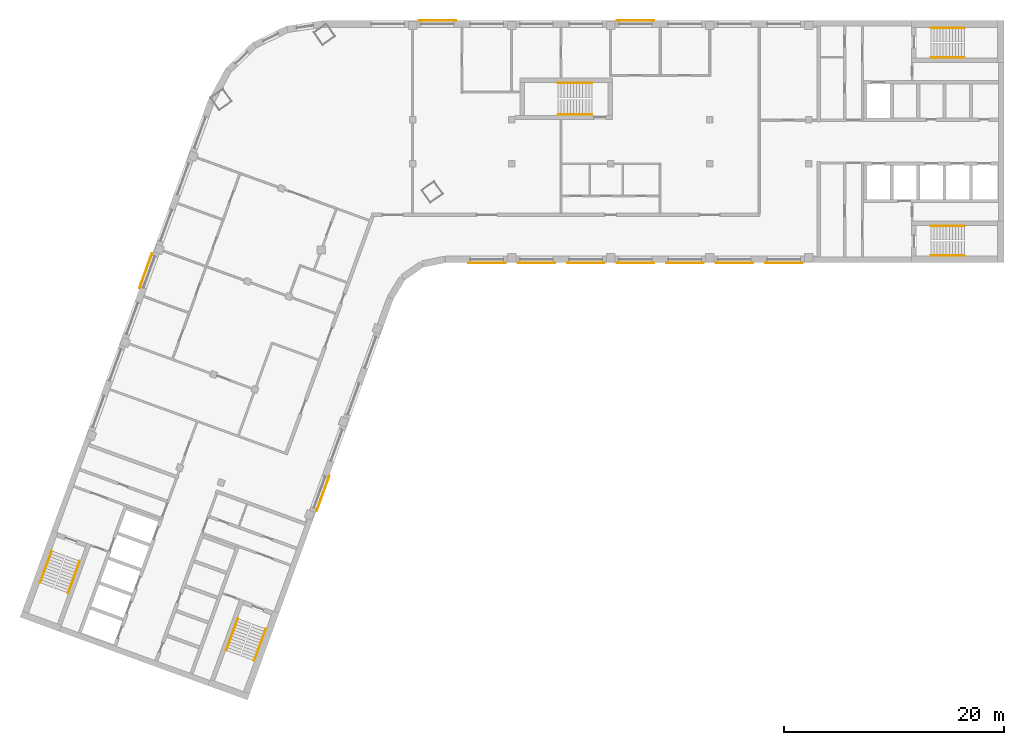
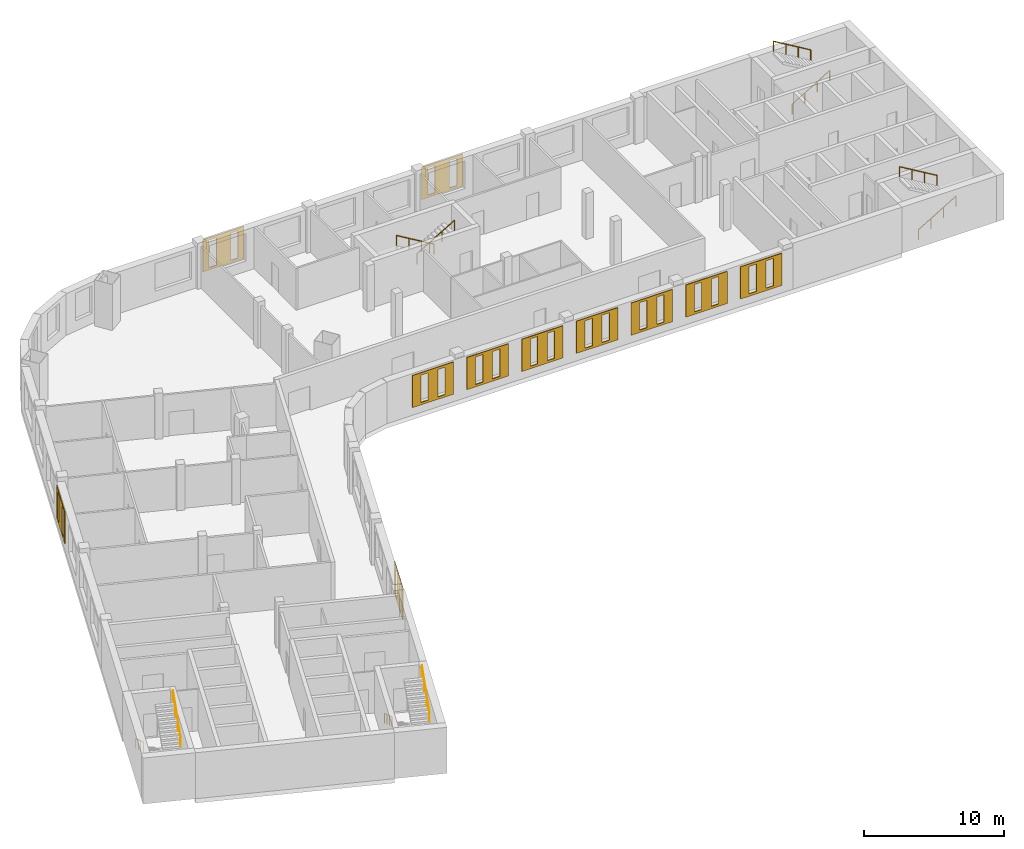
# One storey, part 8 of 8: 11 coverings, 10 railings.
"""IFC4 building model written with IfcOpenShell, lengths in metres."""

from ifc_helpers import new_model, si_unit, direction, frame, origin, origin_2d, place, context, subcontext, project, spatial, polyline, circle, outline, extrude, material, material_profile, profile_set, type_object, element, save


model = new_model("IFC4")

# Units and contexts
model_context = context("Model", 3, precision=1e-05, world=origin(), true_north=direction((0.0, 1.0)))
body_context = subcontext(model_context, "Body", "Model", "MODEL_VIEW")
ifc_project = project(units=[si_unit("LENGTHUNIT", "METRE"), si_unit("AREAUNIT", "SQUARE_METRE"), si_unit("VOLUMEUNIT", "CUBIC_METRE"), si_unit("PLANEANGLEUNIT", "RADIAN"), si_unit("MASSUNIT", "GRAM", prefix="KILO")], contexts=[model_context])

# Site, building, storey
site_placement = place(None, origin())
site = spatial("IfcSite", under=ifc_project, at=site_placement, CompositionType="ELEMENT")
building_placement = place(site_placement, origin())
building = spatial("IfcBuilding", under=site, at=building_placement, Name="Skarvind Civic Tower", CompositionType="ELEMENT")
storey_placement = place(building_placement, frame((0.0, 0.0, 196.0)))
storey = spatial("IfcBuildingStorey", under=building, at=storey_placement, Name="L46", CompositionType="ELEMENT", Elevation=196.0)

# Railings
ifc_material_1 = material(Name="Painted steel handrail", Category="steel")
railing_type = type_object("IfcRailingType", Name="Stair handrail 900", PredefinedType="HANDRAIL", material=ifc_material_1)
railing_1_placement = place(storey_placement, frame((101.35009765625, 135.64990234375, 0.166748046875)))
element("IfcRailing", 1, at=railing_1_placement, inside=storey, type_object=railing_type, Name="Stair handrail", PredefinedType="HANDRAIL", context=body_context, shape_type="SweptSolid", body=[
    extrude(circle(Radius=0.02392578125, at=origin_2d()), frame((0.0, 0.0, 0.8759765625), z_axis=(0.859290745958, 0.0, 0.51148745235), x_axis=(0.0, 1.0, 0.0)), (0.0, 0.0, 1.0), 3.584228515625),
    extrude(circle(Radius=0.02099609375, at=origin_2d()), origin(), (0.0, 0.0, 1.0), 0.851806640625),
    extrude(circle(Radius=0.02099609375, at=origin_2d()), frame((1.026611328125, 0.0, 0.611083984375)), (0.0, 0.0, 1.0), 0.851806640625),
    extrude(circle(Radius=0.02099609375, at=origin_2d()), frame((2.05322265625, 0.0, 1.22216796875)), (0.0, 0.0, 1.0), 0.851806640625),
    extrude(circle(Radius=0.02099609375, at=origin_2d()), frame((3.079833984375, 0.0, 1.833251953125)), (0.0, 0.0, 1.0), 0.851806640625),
])
railing_2_placement = place(storey_placement, frame((104.429931640625, 138.35009765625, 2.166748046875)))
element("IfcRailing", 2, at=railing_2_placement, inside=storey, type_object=railing_type, Name="Stair handrail", PredefinedType="HANDRAIL", context=body_context, shape_type="SweptSolid", body=[
    extrude(circle(Radius=0.02392578125, at=origin_2d()), frame((0.0, 0.0, 0.8759765625), z_axis=(-0.859290745958, 0.0, 0.51148745235), x_axis=(0.0, -1.0, 0.0)), (0.0, 0.0, 1.0), 3.584228515625),
    extrude(circle(Radius=0.02099609375, at=origin_2d()), origin(), (0.0, 0.0, 1.0), 0.851806640625),
    extrude(circle(Radius=0.02099609375, at=origin_2d()), frame((-1.026611328125, 0.0, 0.611083984375)), (0.0, 0.0, 1.0), 0.851806640625),
    extrude(circle(Radius=0.02099609375, at=origin_2d()), frame((-2.05322265625, 0.0, 1.22216796875)), (0.0, 0.0, 1.0), 0.851806640625),
    extrude(circle(Radius=0.02099609375, at=origin_2d()), frame((-3.079833984375, 0.0, 1.833251953125)), (0.0, 0.0, 1.0), 0.851806640625),
])
railing_3_placement = place(storey_placement, frame((101.35009765625, 117.64990234375, 0.166748046875)))
element("IfcRailing", 3, at=railing_3_placement, inside=storey, type_object=railing_type, Name="Stair handrail", PredefinedType="HANDRAIL", context=body_context, shape_type="SweptSolid", body=[
    extrude(circle(Radius=0.02392578125, at=origin_2d()), frame((0.0, 0.0, 0.8759765625), z_axis=(0.859290745958, 0.0, 0.51148745235), x_axis=(0.0, 1.0, 0.0)), (0.0, 0.0, 1.0), 3.584228515625),
    extrude(circle(Radius=0.02099609375, at=origin_2d()), origin(), (0.0, 0.0, 1.0), 0.851806640625),
    extrude(circle(Radius=0.02099609375, at=origin_2d()), frame((1.026611328125, 0.0, 0.611083984375)), (0.0, 0.0, 1.0), 0.851806640625),
    extrude(circle(Radius=0.02099609375, at=origin_2d()), frame((2.05322265625, 0.0, 1.22216796875)), (0.0, 0.0, 1.0), 0.851806640625),
    extrude(circle(Radius=0.02099609375, at=origin_2d()), frame((3.079833984375, 0.0, 1.833251953125)), (0.0, 0.0, 1.0), 0.851806640625),
])
railing_4_placement = place(storey_placement, frame((104.429931640625, 120.35009765625, 2.166748046875)))
element("IfcRailing", 4, at=railing_4_placement, inside=storey, type_object=railing_type, Name="Stair handrail", PredefinedType="HANDRAIL", context=body_context, shape_type="SweptSolid", body=[
    extrude(circle(Radius=0.02392578125, at=origin_2d()), frame((0.0, 0.0, 0.8759765625), z_axis=(-0.859290745958, 0.0, 0.51148745235), x_axis=(0.0, -1.0, 0.0)), (0.0, 0.0, 1.0), 3.584228515625),
    extrude(circle(Radius=0.02099609375, at=origin_2d()), origin(), (0.0, 0.0, 1.0), 0.851806640625),
    extrude(circle(Radius=0.02099609375, at=origin_2d()), frame((-1.026611328125, 0.0, 0.611083984375)), (0.0, 0.0, 1.0), 0.851806640625),
    extrude(circle(Radius=0.02099609375, at=origin_2d()), frame((-2.05322265625, 0.0, 1.22216796875)), (0.0, 0.0, 1.0), 0.851806640625),
    extrude(circle(Radius=0.02099609375, at=origin_2d()), frame((-3.079833984375, 0.0, 1.833251953125)), (0.0, 0.0, 1.0), 0.851806640625),
])
railing_5_placement = place(storey_placement, frame((38.362060546875, 84.64794921875, 0.166748046875)))
element("IfcRailing", 5, at=railing_5_placement, inside=storey, type_object=railing_type, Name="Stair handrail", PredefinedType="HANDRAIL", context=body_context, shape_type="SweptSolid", body=[
    extrude(circle(Radius=0.02392578125, at=origin_2d()), frame((0.0, 0.0, 0.8759765625), z_axis=(-0.293908055923, -0.807480881337, 0.511461319103), x_axis=(0.939689235759, -0.342029443467, 0.0)), (0.0, 0.0, 1.0), 3.584228515625),
    extrude(circle(Radius=0.02099609375, at=origin_2d()), origin(), (0.0, 0.0, 1.0), 0.851806640625),
    extrude(circle(Radius=0.02099609375, at=origin_2d()), frame((-0.35107421875, -0.96484375, 0.611083984375)), (0.0, 0.0, 1.0), 0.851806640625),
    extrude(circle(Radius=0.02099609375, at=origin_2d()), frame((-0.702392578125, -1.929443359375, 1.22216796875)), (0.0, 0.0, 1.0), 0.851806640625),
    extrude(circle(Radius=0.02099609375, at=origin_2d()), frame((-1.053466796875, -2.894287109375, 1.833251953125)), (0.0, 0.0, 1.0), 0.851806640625),
])
railing_6_placement = place(storey_placement, frame((39.845703125, 80.830078125, 2.166748046875)))
element("IfcRailing", 6, at=railing_6_placement, inside=storey, type_object=railing_type, Name="Stair handrail", PredefinedType="HANDRAIL", context=body_context, shape_type="SweptSolid", body=[
    extrude(circle(Radius=0.02392578125, at=origin_2d()), frame((0.0, 0.0, 0.8759765625), z_axis=(0.293908055923, 0.807480881337, 0.511461319103), x_axis=(-0.939689235759, 0.342029443467, 0.0)), (0.0, 0.0, 1.0), 3.584228515625),
    extrude(circle(Radius=0.02099609375, at=origin_2d()), origin(), (0.0, 0.0, 1.0), 0.851806640625),
    extrude(circle(Radius=0.02099609375, at=origin_2d()), frame((0.35107421875, 0.96484375, 0.611083984375)), (0.0, 0.0, 1.0), 0.851806640625),
    extrude(circle(Radius=0.02099609375, at=origin_2d()), frame((0.702392578125, 1.929443359375, 1.22216796875)), (0.0, 0.0, 1.0), 0.851806640625),
    extrude(circle(Radius=0.02099609375, at=origin_2d()), frame((1.053466796875, 2.894287109375, 1.833251953125)), (0.0, 0.0, 1.0), 0.851806640625),
])
railing_7_placement = place(storey_placement, frame((21.447509765625, 90.80419921875, 0.166748046875)))
element("IfcRailing", 7, at=railing_7_placement, inside=storey, type_object=railing_type, Name="Stair handrail", PredefinedType="HANDRAIL", context=body_context, shape_type="SweptSolid", body=[
    extrude(circle(Radius=0.02392578125, at=origin_2d()), frame((0.0, 0.0, 0.8759765625), z_axis=(-0.293845824691, -0.807497044902, 0.511471557163), x_axis=(0.939714709796, -0.34195944817, 0.0)), (0.0, 0.0, 1.0), 3.584228515625),
    extrude(circle(Radius=0.02099609375, at=origin_2d()), origin(), (0.0, 0.0, 1.0), 0.851806640625),
    extrude(circle(Radius=0.02099609375, at=origin_2d()), frame((-0.35107421875, -0.96484375, 0.611083984375)), (0.0, 0.0, 1.0), 0.851806640625),
    extrude(circle(Radius=0.02099609375, at=origin_2d()), frame((-0.7021484375, -1.929443359375, 1.22216796875)), (0.0, 0.0, 1.0), 0.851806640625),
    extrude(circle(Radius=0.02099609375, at=origin_2d()), frame((-1.05322265625, -2.894287109375, 1.833251953125)), (0.0, 0.0, 1.0), 0.851806640625),
])
railing_8_placement = place(storey_placement, frame((22.931396484375, 86.986572265625, 2.166748046875)))
element("IfcRailing", 8, at=railing_8_placement, inside=storey, type_object=railing_type, Name="Stair handrail", PredefinedType="HANDRAIL", context=body_context, shape_type="SweptSolid", body=[
    extrude(circle(Radius=0.02392578125, at=origin_2d()), frame((0.0, 0.0, 0.8759765625), z_axis=(0.293908055923, 0.807480881337, 0.511461319103), x_axis=(-0.939689235759, 0.342029443467, 0.0)), (0.0, 0.0, 1.0), 3.584228515625),
    extrude(circle(Radius=0.02099609375, at=origin_2d()), origin(), (0.0, 0.0, 1.0), 0.851806640625),
    extrude(circle(Radius=0.02099609375, at=origin_2d()), frame((0.35107421875, 0.96484375, 0.611083984375)), (0.0, 0.0, 1.0), 0.851806640625),
    extrude(circle(Radius=0.02099609375, at=origin_2d()), frame((0.702392578125, 1.929443359375, 1.22216796875)), (0.0, 0.0, 1.0), 0.851806640625),
    extrude(circle(Radius=0.02099609375, at=origin_2d()), frame((1.053466796875, 2.894287109375, 1.833251953125)), (0.0, 0.0, 1.0), 0.851806640625),
])
railing_9_placement = place(storey_placement, frame((70.550048828125, 133.35009765625, 0.166748046875)))
element("IfcRailing", 9, at=railing_9_placement, inside=storey, type_object=railing_type, Name="Stair handrail", PredefinedType="HANDRAIL", context=body_context, shape_type="SweptSolid", body=[
    extrude(circle(Radius=0.02392578125, at=origin_2d()), frame((0.0, 0.0, 0.8759765625), z_axis=(-0.859308565015, 0.0, 0.511457515432), x_axis=(0.0, -1.0, 0.0)), (0.0, 0.0, 1.0), 3.58447265625),
    extrude(circle(Radius=0.02099609375, at=origin_2d()), origin(), (0.0, 0.0, 1.0), 0.851806640625),
    extrude(circle(Radius=0.02099609375, at=origin_2d()), frame((-1.026611328125, 0.0, 0.611083984375)), (0.0, 0.0, 1.0), 0.851806640625),
    extrude(circle(Radius=0.02099609375, at=origin_2d()), frame((-2.053466796875, 0.0, 1.22216796875)), (0.0, 0.0, 1.0), 0.851806640625),
    extrude(circle(Radius=0.02099609375, at=origin_2d()), frame((-3.080078125, 0.0, 1.833251953125)), (0.0, 0.0, 1.0), 0.851806640625),
])
railing_10_placement = place(storey_placement, frame((67.469970703125, 130.449951171875, 2.166748046875)))
element("IfcRailing", 10, at=railing_10_placement, inside=storey, type_object=railing_type, Name="Stair handrail", PredefinedType="HANDRAIL", context=body_context, shape_type="SweptSolid", body=[
    extrude(circle(Radius=0.02392578125, at=origin_2d()), frame((0.0, 0.0, 0.8759765625), z_axis=(0.859308565015, 0.0, 0.511457515432), x_axis=(0.0, 1.0, 0.0)), (0.0, 0.0, 1.0), 3.58447265625),
    extrude(circle(Radius=0.02099609375, at=origin_2d()), origin(), (0.0, 0.0, 1.0), 0.851806640625),
    extrude(circle(Radius=0.02099609375, at=origin_2d()), frame((1.026611328125, 0.0, 0.611083984375)), (0.0, 0.0, 1.0), 0.851806640625),
    extrude(circle(Radius=0.02099609375, at=origin_2d()), frame((2.053466796875, 0.0, 1.22216796875)), (0.0, 0.0, 1.0), 0.851806640625),
    extrude(circle(Radius=0.02099609375, at=origin_2d()), frame((3.080078125, 0.0, 1.833251953125)), (0.0, 0.0, 1.0), 0.851806640625),
])

# Coverings
ifc_material_2 = material(Name="Terracotta", Category="masonry")
ifc_material_profile_1 = material_profile(ifc_material_2, outline(polyline([(-1.699951171875, -1.39990234375), (1.699951171875, -1.39990234375), (1.699951171875, 1.39990234375), (-1.699951171875, 1.39990234375), (-1.699951171875, -1.39990234375)]), holes=[polyline([(-1.0, -1.18994140625), (-0.39990234375, -1.18994140625), (-0.39990234375, 1.18994140625), (-1.0, 1.18994140625), (-1.0, -1.18994140625)]), polyline([(0.39990234375, -1.18994140625), (1.0, -1.18994140625), (1.0, 1.18994140625), (0.39990234375, 1.18994140625), (0.39990234375, -1.18994140625)])]), Name="TERRACOTTA SCREEN 3400 x 2800, SLIT PITCH 1400")
ifc_profile_set_1 = profile_set([ifc_material_profile_1], Name="Terracotta")
covering_type_1 = type_object("IfcCoveringType", Name="TERRACOTTA SCREEN 3400 x 2800, SLIT PITCH 1400", PredefinedType="CLADDING", material=ifc_profile_set_1)
for number, where, z_axis, x_axis, name in (
    (11, (88.0, 117.0, 2.10009765625), (0.0, -1.0, 0.0), (1.0, 0.0, 0.0), "TERRACOTTA SCREEN"),
    (12, (83.5, 117.0, 2.10009765625), (0.0, -1.0, 0.0), (1.0, 0.0, 0.0), "TERRACOTTA SCREEN"),
    (13, (79.0, 117.0, 2.10009765625), (0.0, -1.0, 0.0), (1.0, 0.0, 0.0), "TERRACOTTA SCREEN"),
    (14, (74.5, 117.0, 2.10009765625), (0.0, -1.0, 0.0), (1.0, 0.0, 0.0), "TERRACOTTA SCREEN"),
    (15, (70.0, 117.0, 2.10009765625), (0.0, -1.0, 0.0), (1.0, 0.0, 0.0), "TERRACOTTA SCREEN"),
    (16, (65.5, 117.0, 2.10009765625), (0.0, -1.0, 0.0), (1.0, 0.0, 0.0), "TERRACOTTA SCREEN"),
    (17, (61.0, 117.0, 2.10009765625), (0.0, -1.0, 0.0), (1.0, 0.0, 0.0), "TERRACOTTA SCREEN"),
):
    element("IfcCovering", number, at=place(storey_placement, frame(where, z_axis=z_axis, x_axis=x_axis)), inside=storey, type_object=covering_type_1, Name=name, PredefinedType="CLADDING", context=body_context, shape_type="SweptSolid", body=[
        extrude(outline(polyline([(-1.699951171875, -1.39990234375), (1.699951171875, -1.39990234375), (1.699951171875, 1.39990234375), (-1.699951171875, 1.39990234375), (-1.699951171875, -1.39990234375)]), holes=[polyline([(-1.0, -1.18994140625), (-0.39990234375, -1.18994140625), (-0.39990234375, 1.18994140625), (-1.0, 1.18994140625), (-1.0, -1.18994140625)]), polyline([(0.39990234375, -1.18994140625), (1.0, -1.18994140625), (1.0, 1.18994140625), (0.39990234375, 1.18994140625), (0.39990234375, -1.18994140625)])]), origin(), (0.0, 0.0, 1.0), 0.06005859375),
    ])
ifc_material_profile_2 = material_profile(ifc_material_2, outline(polyline([(-1.699951171875, -1.39990234375), (1.699951171875, -1.39990234375), (1.699951171875, 1.39990234375), (-1.699951171875, 1.39990234375), (-1.699951171875, -1.39990234375)]), holes=[polyline([(-1.199951171875, -1.18994140625), (-0.60009765625, -1.18994140625), (-0.60009765625, 1.18994140625), (-1.199951171875, 1.18994140625), (-1.199951171875, -1.18994140625)]), polyline([(0.60009765625, -1.18994140625), (1.199951171875, -1.18994140625), (1.199951171875, 1.18994140625), (0.60009765625, 1.18994140625), (0.60009765625, -1.18994140625)])]), Name="TERRACOTTA SCREEN 3400 x 2800, SLIT PITCH 1800")
ifc_profile_set_2 = profile_set([ifc_material_profile_2], Name="Terracotta")
covering_type_2 = type_object("IfcCoveringType", Name="TERRACOTTA SCREEN 3400 x 2800, SLIT PITCH 1800", PredefinedType="CLADDING", material=ifc_profile_set_2)
for number, where, z_axis, x_axis, name in (
    (18, (46.075927734375, 96.047119140625, 2.10009765625), (0.939793423488, -0.341743063087, 0.0), (0.341743063087, 0.939793423488, 0.0), "TERRACOTTA SCREEN"),
    (19, (56.5, 139.0, 2.10009765625), (0.0, 1.0, 0.0), (-1.0, 0.0, 0.0), "TERRACOTTA SCREEN"),
    (20, (74.5, 139.0, 2.10009765625), (0.0, 1.0, 0.0), (-1.0, 0.0, 0.0), "TERRACOTTA SCREEN"),
    (21, (30.02001953125, 116.25732421875, 2.10009765625), (-0.939793423488, 0.341743063087, 0.0), (-0.341743063087, -0.939793423488, 0.0), "TERRACOTTA SCREEN"),
):
    element("IfcCovering", number, at=place(storey_placement, frame(where, z_axis=z_axis, x_axis=x_axis)), inside=storey, type_object=covering_type_2, Name=name, PredefinedType="CLADDING", context=body_context, shape_type="SweptSolid", body=[
        extrude(outline(polyline([(-1.699951171875, -1.39990234375), (1.699951171875, -1.39990234375), (1.699951171875, 1.39990234375), (-1.699951171875, 1.39990234375), (-1.699951171875, -1.39990234375)]), holes=[polyline([(-1.199951171875, -1.18994140625), (-0.60009765625, -1.18994140625), (-0.60009765625, 1.18994140625), (-1.199951171875, 1.18994140625), (-1.199951171875, -1.18994140625)]), polyline([(0.60009765625, -1.18994140625), (1.199951171875, -1.18994140625), (1.199951171875, 1.18994140625), (0.60009765625, 1.18994140625), (0.60009765625, -1.18994140625)])]), origin(), (0.0, 0.0, 1.0), 0.06005859375),
    ])

save(model, "model.ifc")
